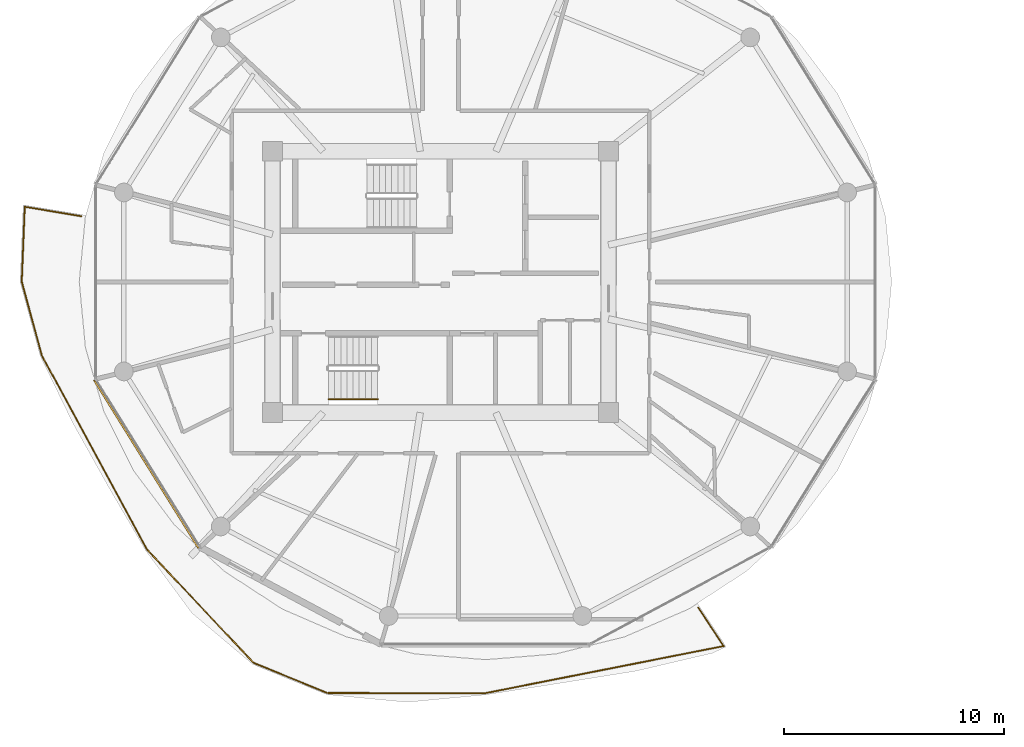
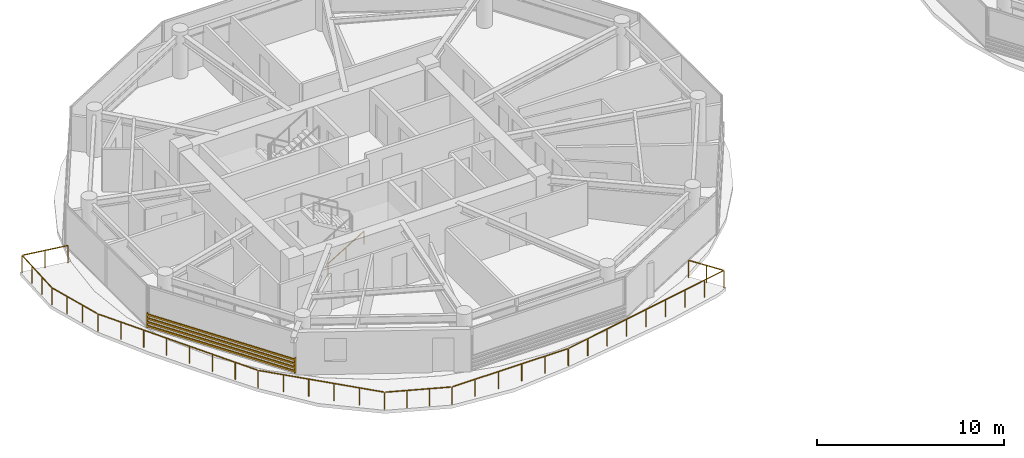
# One storey, part 20 of 24: 2 railings, 1 shading device.
"""IFC4 building model written with IfcOpenShell, lengths in metres."""

from ifc_helpers import new_model, si_unit, direction, frame, origin, origin_2d, place, context, subcontext, project, spatial, rectangle, extrude, source, transform, mapped, material, type_object, type_shapes, element, save


model = new_model("IFC4")

# Units and contexts
model_context = context("Model", 3, precision=1e-05, world=origin(), true_north=direction((0.0, 1.0)))
body_context = subcontext(model_context, "Body", "Model", "MODEL_VIEW")
ifc_project = project(units=[si_unit("LENGTHUNIT", "METRE"), si_unit("AREAUNIT", "SQUARE_METRE"), si_unit("VOLUMEUNIT", "CUBIC_METRE"), si_unit("PLANEANGLEUNIT", "RADIAN"), si_unit("MASSUNIT", "GRAM", prefix="KILO")], contexts=[model_context])

# Site, building, storey
site_placement = place(None, origin())
site = spatial("IfcSite", under=ifc_project, at=site_placement, CompositionType="ELEMENT")
building_placement = place(site_placement, origin())
building = spatial("IfcBuilding", under=site, at=building_placement, Name="Norrkilde Senior Care Towers", CompositionType="ELEMENT")
storey_placement = place(building_placement, frame((0.0, 0.0, 105.39990234375)))
storey = spatial("IfcBuildingStorey", under=building, at=storey_placement, Name="L32", CompositionType="ELEMENT", Elevation=105.39990234375)

# Railings
ifc_material_1 = material(Name="Anodised Aluminium", Category="aluminium")
railing_type_1 = type_object("IfcRailingType", Name="Balcony Swirl Ribbon Guardrail 1150", PredefinedType="GUARDRAIL", material=ifc_material_1)
railing_1_placement = place(storey_placement, frame((-16.2626953125, -14.82568359375, 0.0)))
element("IfcRailing", 1, at=railing_1_placement, inside=storey, type_object=railing_type_1, Name="L32 Perimeter Safety Guard 03", PredefinedType="GUARDRAIL", context=body_context, shape_type="SweptSolid", body=[
    extrude(rectangle(XDim=0.048095703125, YDim=0.048095703125, at=origin_2d()), frame((0.0, 0.0, 1.1259765625), z_axis=(0.550761455283, -0.834662697966, 0.0), x_axis=(0.834662697966, 0.550761455283, 0.0)), (0.0, 0.0, 1.0), 2.065185546875),
    extrude(rectangle(XDim=0.048095703125, YDim=0.048095703125, at=origin_2d()), frame((1.119873046875, -1.765625, 1.1259765625), z_axis=(-0.981062170778, -0.19369310021, 0.0), x_axis=(0.19369310021, -0.981062170778, 0.0)), (0.0, 0.0, 1.0), 10.985107421875),
    extrude(rectangle(XDim=0.048095703125, YDim=0.048095703125, at=origin_2d()), frame((-9.738037109375, -3.9013671875, 1.1259765625), z_axis=(-0.99999948115, 0.001018675193, 0.0), x_axis=(-0.001018675193, -0.99999948115, 0.0)), (0.0, 0.0, 1.0), 7.108154296875),
    extrude(rectangle(XDim=0.048095703125, YDim=0.048095703125, at=origin_2d()), frame((-16.925048828125, -3.878662109375, 1.1259765625), z_axis=(-0.925904287352, 0.377758190729, 0.0), x_axis=(-0.377758190729, -0.925904287352, 0.0)), (0.0, 0.0, 1.0), 3.549072265625),
    extrude(rectangle(XDim=0.048095703125, YDim=0.048095703125, at=origin_2d()), frame((-20.277099609375, -2.49267578125, 1.1259765625), z_axis=(-0.685188257181, 0.728366015284, 0.0), x_axis=(-0.728366015284, -0.685188257181, 0.0)), (0.0, 0.0, 1.0), 6.99755859375),
    extrude(rectangle(XDim=0.048095703125, YDim=0.048095703125, at=origin_2d()), frame((-25.119140625, 2.669677734375, 1.1259765625), z_axis=(-0.476515376682, 0.879166136623, 0.0), x_axis=(-0.879166136623, -0.476515376682, 0.0)), (0.0, 0.0, 1.0), 9.97607421875),
    extrude(rectangle(XDim=0.048095703125, YDim=0.048095703125, at=origin_2d()), frame((-29.903076171875, 11.515869140625, 1.1259765625), z_axis=(-0.26301058142, 0.964792948804, 0.0), x_axis=(-0.964792948804, -0.26301058142, 0.0)), (0.0, 0.0, 1.0), 3.399169921875),
    extrude(rectangle(XDim=0.048095703125, YDim=0.048095703125, at=origin_2d()), frame((-30.80615234375, 14.87548828125, 1.1259765625), z_axis=(0.039731172517, 0.999210405235, 0.0), x_axis=(-0.999210405235, 0.039731172517, 0.0)), (0.0, 0.0, 1.0), 3.334716796875),
    extrude(rectangle(XDim=0.048095703125, YDim=0.048095703125, at=origin_2d()), frame((-30.6318359375, 18.24169921875, 1.1259765625), z_axis=(0.986333443267, -0.164761459975, 0.0), x_axis=(0.164761459975, 0.986333443267, 0.0)), (0.0, 0.0, 1.0), 2.580322265625),
    extrude(rectangle(XDim=0.0419921875, YDim=0.0419921875, at=origin_2d()), origin(), (0.0, 0.0, 1.0), 1.099853515625),
    extrude(rectangle(XDim=0.0419921875, YDim=0.0419921875, at=origin_2d()), frame((0.580078125, -0.87890625, 0.0)), (0.0, 0.0, 1.0), 1.099853515625),
    extrude(rectangle(XDim=0.0419921875, YDim=0.0419921875, at=origin_2d()), frame((1.159912109375, -1.7578125, 0.0)), (0.0, 0.0, 1.0), 1.099853515625),
    extrude(rectangle(XDim=0.0419921875, YDim=0.0419921875, at=origin_2d()), frame((-0.197265625, -2.02587890625, 0.0)), (0.0, 0.0, 1.0), 1.099853515625),
    extrude(rectangle(XDim=0.0419921875, YDim=0.0419921875, at=origin_2d()), frame((-1.554443359375, -2.293701171875, 0.0)), (0.0, 0.0, 1.0), 1.099853515625),
    extrude(rectangle(XDim=0.0419921875, YDim=0.0419921875, at=origin_2d()), frame((-2.91162109375, -2.5615234375, 0.0)), (0.0, 0.0, 1.0), 1.099853515625),
    extrude(rectangle(XDim=0.0419921875, YDim=0.0419921875, at=origin_2d()), frame((-4.2685546875, -2.82958984375, 0.0)), (0.0, 0.0, 1.0), 1.099853515625),
    extrude(rectangle(XDim=0.0419921875, YDim=0.0419921875, at=origin_2d()), frame((-5.625732421875, -3.09765625, 0.0)), (0.0, 0.0, 1.0), 1.099853515625),
    extrude(rectangle(XDim=0.0419921875, YDim=0.0419921875, at=origin_2d()), frame((-6.98291015625, -3.365478515625, 0.0)), (0.0, 0.0, 1.0), 1.099853515625),
    extrude(rectangle(XDim=0.0419921875, YDim=0.0419921875, at=origin_2d()), frame((-8.340087890625, -3.63330078125, 0.0)), (0.0, 0.0, 1.0), 1.099853515625),
    extrude(rectangle(XDim=0.0419921875, YDim=0.0419921875, at=origin_2d()), frame((-9.697265625, -3.9013671875, 0.0)), (0.0, 0.0, 1.0), 1.099853515625),
    extrude(rectangle(XDim=0.0419921875, YDim=0.0419921875, at=origin_2d()), frame((-11.13525390625, -3.89990234375, 0.0)), (0.0, 0.0, 1.0), 1.099853515625),
    extrude(rectangle(XDim=0.0419921875, YDim=0.0419921875, at=origin_2d()), frame((-12.5732421875, -3.8984375, 0.0)), (0.0, 0.0, 1.0), 1.099853515625),
    extrude(rectangle(XDim=0.0419921875, YDim=0.0419921875, at=origin_2d()), frame((-14.01123046875, -3.89697265625, 0.0)), (0.0, 0.0, 1.0), 1.099853515625),
    extrude(rectangle(XDim=0.0419921875, YDim=0.0419921875, at=origin_2d()), frame((-15.44921875, -3.8955078125, 0.0)), (0.0, 0.0, 1.0), 1.099853515625),
    extrude(rectangle(XDim=0.0419921875, YDim=0.0419921875, at=origin_2d()), frame((-16.88720703125, -3.89404296875, 0.0)), (0.0, 0.0, 1.0), 1.099853515625),
    extrude(rectangle(XDim=0.0419921875, YDim=0.0419921875, at=origin_2d()), frame((-18.0078125, -3.436767578125, 0.0)), (0.0, 0.0, 1.0), 1.099853515625),
    extrude(rectangle(XDim=0.0419921875, YDim=0.0419921875, at=origin_2d()), frame((-19.12841796875, -2.979736328125, 0.0)), (0.0, 0.0, 1.0), 1.099853515625),
    extrude(rectangle(XDim=0.0419921875, YDim=0.0419921875, at=origin_2d()), frame((-20.2490234375, -2.5224609375, 0.0)), (0.0, 0.0, 1.0), 1.099853515625),
    extrude(rectangle(XDim=0.0419921875, YDim=0.0419921875, at=origin_2d()), frame((-21.21923828125, -1.4912109375, 0.0)), (0.0, 0.0, 1.0), 1.099853515625),
    extrude(rectangle(XDim=0.0419921875, YDim=0.0419921875, at=origin_2d()), frame((-22.189208984375, -0.4599609375, 0.0)), (0.0, 0.0, 1.0), 1.099853515625),
    extrude(rectangle(XDim=0.0419921875, YDim=0.0419921875, at=origin_2d()), frame((-23.159423828125, 0.5712890625, 0.0)), (0.0, 0.0, 1.0), 1.099853515625),
    extrude(rectangle(XDim=0.0419921875, YDim=0.0419921875, at=origin_2d()), frame((-24.12939453125, 1.6025390625, 0.0)), (0.0, 0.0, 1.0), 1.099853515625),
    extrude(rectangle(XDim=0.0419921875, YDim=0.0419921875, at=origin_2d()), frame((-25.099609375, 2.6337890625, 0.0)), (0.0, 0.0, 1.0), 1.099853515625),
    extrude(rectangle(XDim=0.0419921875, YDim=0.0419921875, at=origin_2d()), frame((-25.7841796875, 3.89697265625, 0.0)), (0.0, 0.0, 1.0), 1.099853515625),
    extrude(rectangle(XDim=0.0419921875, YDim=0.0419921875, at=origin_2d()), frame((-26.468994140625, 5.16015625, 0.0)), (0.0, 0.0, 1.0), 1.099853515625),
    extrude(rectangle(XDim=0.0419921875, YDim=0.0419921875, at=origin_2d()), frame((-27.153564453125, 6.42333984375, 0.0)), (0.0, 0.0, 1.0), 1.099853515625),
    extrude(rectangle(XDim=0.0419921875, YDim=0.0419921875, at=origin_2d()), frame((-27.83837890625, 7.686767578125, 0.0)), (0.0, 0.0, 1.0), 1.099853515625),
    extrude(rectangle(XDim=0.0419921875, YDim=0.0419921875, at=origin_2d()), frame((-28.52294921875, 8.949951171875, 0.0)), (0.0, 0.0, 1.0), 1.099853515625),
    extrude(rectangle(XDim=0.0419921875, YDim=0.0419921875, at=origin_2d()), frame((-29.207763671875, 10.213134765625, 0.0)), (0.0, 0.0, 1.0), 1.099853515625),
    extrude(rectangle(XDim=0.0419921875, YDim=0.0419921875, at=origin_2d()), frame((-29.892333984375, 11.476318359375, 0.0)), (0.0, 0.0, 1.0), 1.099853515625),
    extrude(rectangle(XDim=0.0419921875, YDim=0.0419921875, at=origin_2d()), frame((-30.197509765625, 12.595703125, 0.0)), (0.0, 0.0, 1.0), 1.099853515625),
    extrude(rectangle(XDim=0.0419921875, YDim=0.0419921875, at=origin_2d()), frame((-30.502685546875, 13.71533203125, 0.0)), (0.0, 0.0, 1.0), 1.099853515625),
    extrude(rectangle(XDim=0.0419921875, YDim=0.0419921875, at=origin_2d()), frame((-30.807861328125, 14.834716796875, 0.0)), (0.0, 0.0, 1.0), 1.099853515625),
    extrude(rectangle(XDim=0.0419921875, YDim=0.0419921875, at=origin_2d()), frame((-30.7626953125, 15.97265625, 0.0)), (0.0, 0.0, 1.0), 1.099853515625),
    extrude(rectangle(XDim=0.0419921875, YDim=0.0419921875, at=origin_2d()), frame((-30.71728515625, 17.110595703125, 0.0)), (0.0, 0.0, 1.0), 1.099853515625),
    extrude(rectangle(XDim=0.0419921875, YDim=0.0419921875, at=origin_2d()), frame((-30.672119140625, 18.24853515625, 0.0)), (0.0, 0.0, 1.0), 1.099853515625),
    extrude(rectangle(XDim=0.0419921875, YDim=0.0419921875, at=origin_2d()), frame((-29.37939453125, 18.03271484375, 0.0)), (0.0, 0.0, 1.0), 1.099853515625),
    extrude(rectangle(XDim=0.0419921875, YDim=0.0419921875, at=origin_2d()), frame((-28.086669921875, 17.816650390625, 0.0)), (0.0, 0.0, 1.0), 1.099853515625),
])
ifc_material_2 = material(Name="Nordic Ash Timber", Category="wood")
railing_type_2 = type_object("IfcRailingType", Name="Wall and Stair Handrail 900", PredefinedType="HANDRAIL", material=ifc_material_2)
railing_2_placement = place(storey_placement, frame((-33.10009765625, -5.35009765625, 0.16943359375)))
element("IfcRailing", 2, at=railing_2_placement, inside=storey, type_object=railing_type_2, Name="L32 ST-W2 stair handrail 1", PredefinedType="HANDRAIL", context=body_context, shape_type="SweptSolid", body=[
    extrude(rectangle(XDim=0.048095703125, YDim=0.048095703125, at=origin_2d()), frame((0.0, 0.0, 0.8759765625), z_axis=(0.855512035549, 0.0, 0.517782924622), x_axis=(0.0, 1.0, 0.0)), (0.0, 0.0, 1.0), 2.618408203125),
    extrude(rectangle(XDim=0.0419921875, YDim=0.0419921875, at=origin_2d()), origin(), (0.0, 0.0, 1.0), 0.849853515625),
    extrude(rectangle(XDim=0.0419921875, YDim=0.0419921875, at=origin_2d()), frame((1.1201171875, 0.0, 0.677734375)), (0.0, 0.0, 1.0), 0.849853515625),
    extrude(rectangle(XDim=0.0419921875, YDim=0.0419921875, at=origin_2d()), frame((2.239990234375, 0.0, 1.355712890625)), (0.0, 0.0, 1.0), 0.849853515625),
])

# Shading device
ifc_material_3 = material(Name="Architectural Terracotta", Category="masonry")
shading_device_type = type_object("IfcShadingDeviceType", Name="Horizontal Terracotta Baguette Rack", PredefinedType="USERDEFINED", material=ifc_material_3)
shared_shape = source(origin(), body_context, "Body", "SweptSolid", [
    extrude(rectangle(XDim=0.070068359375, YDim=0.110107421875, at=origin_2d()), frame((0.0, 0.090087890625, 0.125), z_axis=(1.0, 0.0, 0.0), x_axis=(0.0, 1.0, 0.0)), (0.0, 0.0, 1.0), 9.01416015625),
    extrude(rectangle(XDim=0.070068359375, YDim=0.110107421875, at=origin_2d()), frame((0.0, 0.090087890625, 0.375), z_axis=(1.0, 0.0, 0.0), x_axis=(0.0, 1.0, 0.0)), (0.0, 0.0, 1.0), 9.01416015625),
    extrude(rectangle(XDim=0.070068359375, YDim=0.110107421875, at=origin_2d()), frame((0.0, 0.090087890625, 0.625), z_axis=(1.0, 0.0, 0.0), x_axis=(0.0, 1.0, 0.0)), (0.0, 0.0, 1.0), 9.01416015625),
    extrude(rectangle(XDim=0.070068359375, YDim=0.110107421875, at=origin_2d()), frame((0.0, 0.090087890625, 0.875), z_axis=(1.0, 0.0, 0.0), x_axis=(0.0, 1.0, 0.0)), (0.0, 0.0, 1.0), 9.01416015625),
    extrude(rectangle(XDim=0.050048828125, YDim=0.1552734375, at=origin_2d()), frame((0.02490234375, 0.047607421875, 0.0)), (0.0, 0.0, 1.0), 1.0),
    extrude(rectangle(XDim=0.050048828125, YDim=0.1552734375, at=origin_2d()), frame((8.9892578125, 0.047607421875, 0.0)), (0.0, 0.0, 1.0), 1.0),
])
type_shapes(shading_device_type, [shared_shape])
shading_device_placement = place(storey_placement, frame((-38.946533203125, -12.077392578125, 0.080078125), z_axis=(0.0, 0.0, 1.0), x_axis=(-0.527734142246, 0.849412274525, 0.0)))
element("IfcShadingDevice", 3, at=shading_device_placement, inside=storey, type_object=shading_device_type, Name="L32 Drum W Terracotta Baguette Screen 06", ObjectType="BAGUETTE", PredefinedType="USERDEFINED", context=body_context, shape_type="MappedRepresentation", body=[
    mapped(shared_shape, transform((0.0, 0.0, 0.0), x_axis=(1.0, 0.0, 0.0), y_axis=(0.0, 1.0, 0.0), z_axis=(0.0, 0.0, 1.0), scale=1.0)),
])

save(model, "model.ifc")
